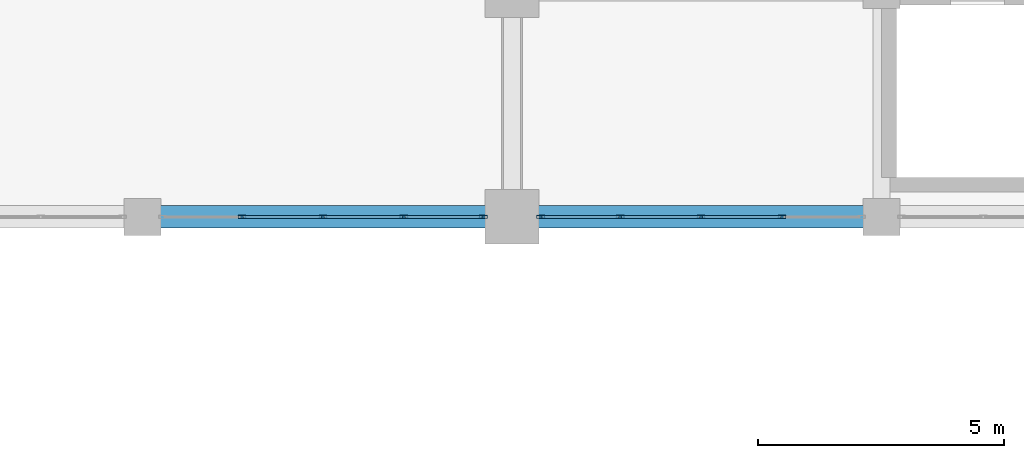
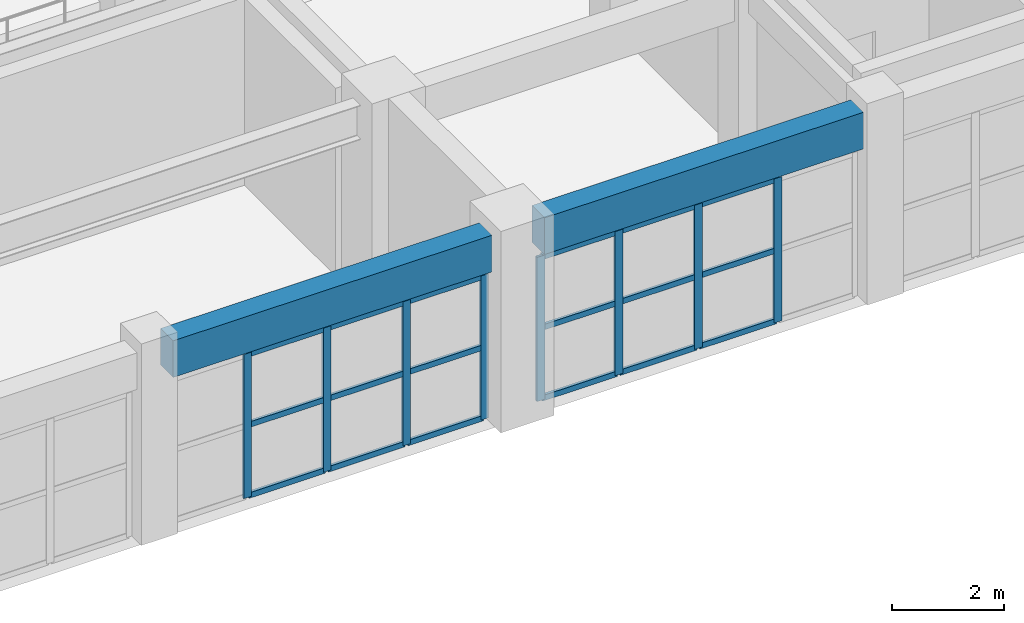
# One storey, part 25 of 90: 26 members, 2 beams, 2 elements without a shape of their own.
"""IFC4 building model written with IfcOpenShell, lengths in metres."""

import ifcopenshell
import ifcopenshell.guid

model = None  # the IFC model being written
_history = None  # IfcOwnerHistory: only IFC2X3 demands one
_inside = {}  # id of a spatial element -> (the spatial element, [elements in it])
_under = {}  # id of a project, library or spatial element -> (it, [spatial elements below it])
_declared = {}  # id of a project -> (the project, [libraries it declares])
_typed = {}  # id of a type object -> (the type object, [elements of that type])
_made_of = {}  # id of a material, layer set ... -> (it, [elements and type objects made of it])


def new_model(schema):
    """Start an empty IFC model of exactly this schema.

    Asked for "IFC4X3", IfcOpenShell would pick the latest addendum, in which some entities
    have other attributes; the version numbers below select the first issue.
    IFC2X3 requires an IfcOwnerHistory on every rooted entity: one is made here for all.
    """
    global model, _history
    if schema == "IFC4X3":
        model = ifcopenshell.file(schema_version=(4, 3, 0, 0))
    else:
        model = ifcopenshell.file(schema=schema)
    _inside.clear()
    _under.clear()
    _declared.clear()
    _typed.clear()
    _made_of.clear()
    _history = None
    if model.schema == "IFC2X3":
        org = make("IfcOrganization", Name="unknown")
        user = make(
            "IfcPersonAndOrganization",
            ThePerson=make("IfcPerson", FamilyName="unknown"),
            TheOrganization=org,
        )
        app = make(
            "IfcApplication",
            ApplicationDeveloper=org,
            Version="unknown",
            ApplicationFullName="unknown",
            ApplicationIdentifier="unknown",
        )
        _history = make(
            "IfcOwnerHistory",
            OwningUser=user,
            OwningApplication=app,
            ChangeAction="ADDED",
            CreationDate=0,
        )
    return model


def make(cls, **values):
    """One entity of the class cls with the attributes given. An attribute that is None is left unset."""
    return model.create_entity(
        cls, **{name: value for name, value in values.items() if value is not None}
    )


def rooted(cls, **values):
    """An entity with a GlobalId (a new one), such as an element, a storey or a relation."""
    return make(cls, GlobalId=ifcopenshell.guid.new(), OwnerHistory=_history, **values)


def si_unit(unit_type, name, prefix=None):
    """IfcSIUnit, for example si_unit("LENGTHUNIT", "METRE", prefix="MILLI")."""
    return make("IfcSIUnit", UnitType=unit_type, Prefix=prefix, Name=name)


def assignment(units):
    """IfcUnitAssignment: the units of a project."""
    return None if units is None else make("IfcUnitAssignment", Units=units)


def point(xyz):
    """IfcCartesianPoint."""
    return None if xyz is None else make("IfcCartesianPoint", Coordinates=xyz)


def direction(xyz):
    """IfcDirection."""
    return None if xyz is None else make("IfcDirection", DirectionRatios=xyz)


def frame(location, z_axis=None, x_axis=None):
    """IfcAxis2Placement3D, a coordinate frame: its origin and axes. An axis left out is left unset."""
    return make(
        "IfcAxis2Placement3D",
        Location=point(location),
        Axis=direction(z_axis),
        RefDirection=direction(x_axis),
    )


def frame_2d(location, x_axis=None):
    """IfcAxis2Placement2D, a coordinate frame in the plane: its origin and x axis."""
    return make(
        "IfcAxis2Placement2D", Location=point(location), RefDirection=direction(x_axis)
    )


def origin():
    """The frame at (0, 0, 0) with its axes left unset."""
    return frame((0.0, 0.0, 0.0))


def origin_2d():
    """The frame at (0, 0) in the plane with its x axis left unset."""
    return frame_2d((0.0, 0.0))


def place(relative_to, where):
    """IfcLocalPlacement: puts the frame where relative to a parent placement (None: the world)."""
    return make(
        "IfcLocalPlacement", PlacementRelTo=relative_to, RelativePlacement=where
    )


def context(
    kind, dimensions, precision=None, world=None, true_north=None, identifier=None
):
    """IfcGeometricRepresentationContext, for example the 3D "Model" context."""
    return make(
        "IfcGeometricRepresentationContext",
        ContextIdentifier=identifier,
        ContextType=kind,
        CoordinateSpaceDimension=dimensions,
        Precision=precision,
        WorldCoordinateSystem=world,
        TrueNorth=true_north,
    )


def subcontext(parent, identifier, kind, view, scale=None):
    """IfcGeometricRepresentationSubContext, for example "Body" below "Model"."""
    return make(
        "IfcGeometricRepresentationSubContext",
        ContextIdentifier=identifier,
        ContextType=kind,
        ParentContext=parent,
        TargetScale=scale,
        TargetView=view,
    )


def project(units=None, contexts=None):
    """IfcProject with its units and contexts."""
    return rooted(
        "IfcProject",
        Name="project",
        RepresentationContexts=contexts,
        UnitsInContext=assignment(units),
    )


def spatial(cls, under=None, at=None, **own):
    """A site, building, storey or space (cls), placed at a placement, below another one or the project."""
    s = rooted(cls, ObjectPlacement=at, **own)
    if under is not None:
        _under.setdefault(under.id(), (under, []))[1].append(s)
    return s


def profile(cls, at=None, kind="AREA", **sizes):
    """A parametric profile (cls). Its sizes go by their IFC names, for example OverallWidth=200.0."""
    return make(cls, ProfileType=kind, Position=at, **sizes)


def rectangle(**sizes):
    """IfcRectangleProfileDef."""
    return profile("IfcRectangleProfileDef", **sizes)


def hollow_rectangle(**sizes):
    """IfcRectangleHollowProfileDef."""
    return profile("IfcRectangleHollowProfileDef", **sizes)


def extrude(swept, where, along, depth):
    """IfcExtrudedAreaSolid: the profile swept, set in the frame where, extruded along a direction by depth."""
    return make(
        "IfcExtrudedAreaSolid",
        SweptArea=swept,
        Position=where,
        ExtrudedDirection=direction(along),
        Depth=depth,
    )


def shape(context_of_items, identifier, shape_type, items):
    """IfcShapeRepresentation: the items that make up one representation, for example the "Body"."""
    return make(
        "IfcShapeRepresentation",
        ContextOfItems=context_of_items,
        RepresentationIdentifier=identifier,
        RepresentationType=shape_type,
        Items=items,
    )


def material(Name=None, Category=None):
    """IfcMaterial."""
    return make("IfcMaterial", Name=Name, Category=Category)


def layer(
    of_material, thickness, ventilated=None, Name=None, Category=None, Priority=None
):
    """IfcMaterialLayer: one layer of a wall or slab, of a material (None: an air gap)."""
    return make(
        "IfcMaterialLayer",
        Material=of_material,
        LayerThickness=thickness,
        IsVentilated=ventilated,
        Name=Name,
        Category=Category,
        Priority=Priority,
    )


def layer_set(layers, Name=None):
    """IfcMaterialLayerSet."""
    return make("IfcMaterialLayerSet", MaterialLayers=layers, LayerSetName=Name)


def material_profile(
    of_material, cross_section, Name=None, Category=None, Priority=None
):
    """IfcMaterialProfile: a cross section and its material."""
    return make(
        "IfcMaterialProfile",
        Name=Name,
        Material=of_material,
        Profile=cross_section,
        Priority=Priority,
        Category=Category,
    )


def profile_set(profiles, Name=None, composite=None):
    """IfcMaterialProfileSet."""
    return make(
        "IfcMaterialProfileSet",
        Name=Name,
        MaterialProfiles=profiles,
        CompositeProfile=composite,
    )


def made_of(thing, what):
    """Note that an element or type object is made of a material, layer set ...; save() writes the relation."""
    if what is not None:
        _made_of.setdefault(what.id(), (what, []))[1].append(thing)
    return thing


def type_object(cls, material=None, **own):
    """A type object (cls), such as IfcWallType, which elements share."""
    return made_of(rooted(cls, **own), material)


def element(
    cls,
    number,
    at=None,
    inside=None,
    cuts=None,
    type_object=None,
    material=None,
    context=None,
    identifier="Body",
    shape_type=None,
    held_by="IfcProductDefinitionShape",
    body=None,
    shapes=None,
    **own,
):
    """One element of the class cls, such as IfcWall. Its Tag is "e" and its number.

    at: its placement. inside: the storey or other place that contains it. cuts: it is an
    opening in that element (IfcRelVoidsElement). A single representation is given by context,
    identifier, shape_type and body (its items); several are given by shapes. held_by: the class
    of the entity that holds the representations. save() writes the other relations.
    """
    e = rooted(cls, Tag="e%d" % number, ObjectPlacement=at, **own)
    if body is not None:
        shapes = [shape(context, identifier, shape_type, body)]
    if shapes is not None:
        e.Representation = make(held_by, Representations=shapes)
    if inside is not None:
        _inside.setdefault(inside.id(), (inside, []))[1].append(e)
    if cuts is not None:
        rooted(
            "IfcRelVoidsElement", RelatingBuildingElement=cuts, RelatedOpeningElement=e
        )
    if type_object is not None:
        _typed.setdefault(type_object.id(), (type_object, []))[1].append(e)
    return made_of(e, material)


def aggregate(whole, parts):
    """IfcRelAggregates: a whole, such as a stair, and the parts it consists of."""
    return rooted("IfcRelAggregates", RelatingObject=whole, RelatedObjects=parts)


def save(model, path):
    """Write the relations noted so far, then the file.

    IfcRelAggregates (storeys below a building ...), IfcRelContainedInSpatialStructure (elements
    in a storey), IfcRelDefinesByType, IfcRelAssociatesMaterial and IfcRelDeclares: one each for
    every whole, place, type object, material and project.
    """
    for whole, parts in _under.values():
        aggregate(whole, parts)
    for where, things in _inside.values():
        rooted(
            "IfcRelContainedInSpatialStructure",
            RelatedElements=things,
            RelatingStructure=where,
        )
    for kind, things in _typed.values():
        rooted("IfcRelDefinesByType", RelatedObjects=things, RelatingType=kind)
    for what, things in _made_of.values():
        rooted("IfcRelAssociatesMaterial", RelatedObjects=things, RelatingMaterial=what)
    for by, libraries in _declared.values():
        rooted("IfcRelDeclares", RelatingContext=by, RelatedDefinitions=libraries)
    model.write(path)


model = new_model("IFC4")

# Units and contexts
model_context = context("Model", 3, precision=1e-05, world=origin(), true_north=direction((0.0, 1.0)))
body_context = subcontext(model_context, "Body", "Model", "MODEL_VIEW")
ifc_project = project(units=[si_unit("LENGTHUNIT", "METRE"), si_unit("AREAUNIT", "SQUARE_METRE"), si_unit("VOLUMEUNIT", "CUBIC_METRE"), si_unit("PLANEANGLEUNIT", "RADIAN"), si_unit("MASSUNIT", "GRAM", prefix="KILO")], contexts=[model_context])

# Site, building, storey
site_placement = place(None, origin())
site = spatial("IfcSite", under=ifc_project, at=site_placement, CompositionType="ELEMENT")
building_placement = place(site_placement, origin())
building = spatial("IfcBuilding", under=site, at=building_placement, Name="Muzn Square Opera House", CompositionType="ELEMENT")
storey_placement = place(building_placement, frame((0.0, 0.0, 9.800048828125)))
storey = spatial("IfcBuildingStorey", under=building, at=storey_placement, Name="L02", CompositionType="ELEMENT", Elevation=9.800048828125)

# Curtain wall, members
ifc_material_1 = material(Name="Low-E laminated acoustic double glazing", Category="glass")
ifc_layer = layer(ifc_material_1, 0.159912109375, Name="Low-E laminated acoustic double glazing", Category="glass")
ifc_layer_set = layer_set([ifc_layer], Name="Low-E laminated acoustic double glazing")
curtain_wall_type = type_object("IfcCurtainWallType", Name="Glazed Curtain Wall Forecourt 6575x3150", PredefinedType="USERDEFINED", material=ifc_layer_set)
curtain_wall_1_placement = place(storey_placement, origin())
curtain_wall_1 = element("IfcCurtainWall", 1, at=curtain_wall_1_placement, inside=storey, type_object=curtain_wall_type, Name="Glazed Curtain Wall CW-L02-016", ObjectType="GLAZED CURTAIN WALL", PredefinedType="USERDEFINED")
ifc_material_2 = material(Name="Anodised bronze aluminium 6063-T6", Category="metal")
ifc_material_profile_1 = material_profile(ifc_material_2, hollow_rectangle(XDim=0.06005859375, YDim=0.159912109375, WallThickness=0.00390625, at=origin_2d()), Name="ALU 160x60x4", Category="metal")
ifc_profile_set_1 = profile_set([ifc_material_profile_1], Name="Anodised bronze aluminium 6063-T6")
member_type_1 = type_object("IfcMemberType", Name="Curtain Wall Mullion 160x60", PredefinedType="MULLION", material=ifc_profile_set_1)
member_1_placement = place(storey_placement, frame((97.518798828125, 22.0, 0.0), z_axis=(0.0, 0.0, 1.0), x_axis=(0.0, 1.0, 0.0)))
member_1 = element("IfcMember", 2, at=member_1_placement, type_object=member_type_1, Name="CW-FC-65x31 mullion 2", PredefinedType="MULLION", context=body_context, shape_type="SweptSolid", body=[
    extrude(hollow_rectangle(XDim=0.06005859375, YDim=0.159912109375, WallThickness=0.00390625, at=origin_2d()), origin(), (0.0, 0.0, 1.0), 3.14990234375),
])
member_2_placement = place(storey_placement, frame((99.16259765625, 22.0, 0.0), z_axis=(0.0, 0.0, 1.0), x_axis=(0.0, 1.0, 0.0)))
member_2 = element("IfcMember", 3, at=member_2_placement, type_object=member_type_1, Name="CW-FC-65x31 mullion 3", PredefinedType="MULLION", context=body_context, shape_type="SweptSolid", body=[
    extrude(hollow_rectangle(XDim=0.06005859375, YDim=0.159912109375, WallThickness=0.00390625, at=origin_2d()), origin(), (0.0, 0.0, 1.0), 3.14990234375),
])
member_3_placement = place(storey_placement, frame((100.80615234375, 22.0, 0.0), z_axis=(0.0, 0.0, 1.0), x_axis=(0.0, 1.0, 0.0)))
member_3 = element("IfcMember", 4, at=member_3_placement, type_object=member_type_1, Name="CW-FC-65x31 mullion 4", PredefinedType="MULLION", context=body_context, shape_type="SweptSolid", body=[
    extrude(hollow_rectangle(XDim=0.06005859375, YDim=0.159912109375, WallThickness=0.00390625, at=origin_2d()), origin(), (0.0, 0.0, 1.0), 3.14990234375),
])
member_4_placement = place(storey_placement, frame((102.419921875, 22.0, 0.0), z_axis=(0.0, 0.0, 1.0), x_axis=(0.0, 1.0, 0.0)))
member_4 = element("IfcMember", 5, at=member_4_placement, type_object=member_type_1, Name="CW-FC-65x31 mullion 5", PredefinedType="MULLION", context=body_context, shape_type="SweptSolid", body=[
    extrude(hollow_rectangle(XDim=0.06005859375, YDim=0.159912109375, WallThickness=0.00390625, at=origin_2d()), origin(), (0.0, 0.0, 1.0), 3.14990234375),
])

curtain_wall_2_placement = place(storey_placement, origin())
curtain_wall_2 = element("IfcCurtainWall", 6, at=curtain_wall_2_placement, inside=storey, type_object=curtain_wall_type, Name="Glazed Curtain Wall CW-L02-017", ObjectType="GLAZED CURTAIN WALL", PredefinedType="USERDEFINED")
member_5_placement = place(storey_placement, frame((103.580078125, 22.0, 0.0), z_axis=(0.0, 0.0, 1.0), x_axis=(0.0, 1.0, 0.0)))
member_5 = element("IfcMember", 7, at=member_5_placement, type_object=member_type_1, Name="CW-FC-65x31 mullion 1", PredefinedType="MULLION", context=body_context, shape_type="SweptSolid", body=[
    extrude(hollow_rectangle(XDim=0.06005859375, YDim=0.159912109375, WallThickness=0.00390625, at=origin_2d()), origin(), (0.0, 0.0, 1.0), 3.14990234375),
])
member_6_placement = place(storey_placement, frame((105.19384765625, 22.0, 0.0), z_axis=(0.0, 0.0, 1.0), x_axis=(0.0, 1.0, 0.0)))
member_6 = element("IfcMember", 8, at=member_6_placement, type_object=member_type_1, Name="CW-FC-65x31 mullion 2", PredefinedType="MULLION", context=body_context, shape_type="SweptSolid", body=[
    extrude(hollow_rectangle(XDim=0.06005859375, YDim=0.159912109375, WallThickness=0.00390625, at=origin_2d()), origin(), (0.0, 0.0, 1.0), 3.14990234375),
])
member_7_placement = place(storey_placement, frame((106.83740234375, 22.0, 0.0), z_axis=(0.0, 0.0, 1.0), x_axis=(0.0, 1.0, 0.0)))
member_7 = element("IfcMember", 9, at=member_7_placement, type_object=member_type_1, Name="CW-FC-65x31 mullion 3", PredefinedType="MULLION", context=body_context, shape_type="SweptSolid", body=[
    extrude(hollow_rectangle(XDim=0.06005859375, YDim=0.159912109375, WallThickness=0.00390625, at=origin_2d()), origin(), (0.0, 0.0, 1.0), 3.14990234375),
])
member_8_placement = place(storey_placement, frame((108.481201171875, 22.0, 0.0), z_axis=(0.0, 0.0, 1.0), x_axis=(0.0, 1.0, 0.0)))
member_8 = element("IfcMember", 10, at=member_8_placement, type_object=member_type_1, Name="CW-FC-65x31 mullion 4", PredefinedType="MULLION", context=body_context, shape_type="SweptSolid", body=[
    extrude(hollow_rectangle(XDim=0.06005859375, YDim=0.159912109375, WallThickness=0.00390625, at=origin_2d()), origin(), (0.0, 0.0, 1.0), 3.14990234375),
])

# Member
ifc_material_profile_2 = material_profile(ifc_material_2, hollow_rectangle(XDim=0.06005859375, YDim=0.1201171875, WallThickness=0.00390625, at=origin_2d()), Name="ALU 120x60x4", Category="metal")
ifc_profile_set_2 = profile_set([ifc_material_profile_2], Name="Anodised bronze aluminium 6063-T6")
member_type_2 = type_object("IfcMemberType", Name="Curtain Wall Transom 120x60", PredefinedType="USERDEFINED", material=ifc_profile_set_2)
member_9_placement = place(storey_placement, frame((97.548828125, 22.0, 0.030029296875), z_axis=(1.0, 0.0, 0.0), x_axis=(0.0, 1.0, 0.0)))
member_9 = element("IfcMember", 11, at=member_9_placement, type_object=member_type_2, Name="CW-FC-65x31 transom 2.1", ObjectType="TRANSOM", PredefinedType="USERDEFINED", context=body_context, shape_type="SweptSolid", body=[
    extrude(hollow_rectangle(XDim=0.06005859375, YDim=0.1201171875, WallThickness=0.00390625, at=origin_2d()), origin(), (0.0, 0.0, 1.0), 1.583740234375),
])

member_10_placement = place(storey_placement, frame((97.548828125, 22.0, 1.574951171875), z_axis=(1.0, 0.0, 0.0), x_axis=(0.0, 1.0, 0.0)))
member_10 = element("IfcMember", 12, at=member_10_placement, type_object=member_type_2, Name="CW-FC-65x31 transom 2.2", ObjectType="TRANSOM", PredefinedType="USERDEFINED", context=body_context, shape_type="SweptSolid", body=[
    extrude(hollow_rectangle(XDim=0.06005859375, YDim=0.1201171875, WallThickness=0.00390625, at=origin_2d()), origin(), (0.0, 0.0, 1.0), 1.583740234375),
])

member_11_placement = place(storey_placement, frame((97.548828125, 22.0, 3.119873046875), z_axis=(1.0, 0.0, 0.0), x_axis=(0.0, 1.0, 0.0)))
member_11 = element("IfcMember", 13, at=member_11_placement, type_object=member_type_2, Name="CW-FC-65x31 transom 2.3", ObjectType="TRANSOM", PredefinedType="USERDEFINED", context=body_context, shape_type="SweptSolid", body=[
    extrude(hollow_rectangle(XDim=0.06005859375, YDim=0.1201171875, WallThickness=0.00390625, at=origin_2d()), origin(), (0.0, 0.0, 1.0), 1.583740234375),
])

member_12_placement = place(storey_placement, frame((99.1923828125, 22.0, 0.030029296875), z_axis=(1.0, 0.0, 0.0), x_axis=(0.0, 1.0, 0.0)))
member_12 = element("IfcMember", 14, at=member_12_placement, type_object=member_type_2, Name="CW-FC-65x31 transom 3.1", ObjectType="TRANSOM", PredefinedType="USERDEFINED", context=body_context, shape_type="SweptSolid", body=[
    extrude(hollow_rectangle(XDim=0.06005859375, YDim=0.1201171875, WallThickness=0.00390625, at=origin_2d()), origin(), (0.0, 0.0, 1.0), 1.583984375),
])

member_13_placement = place(storey_placement, frame((99.1923828125, 22.0, 1.574951171875), z_axis=(1.0, 0.0, 0.0), x_axis=(0.0, 1.0, 0.0)))
member_13 = element("IfcMember", 15, at=member_13_placement, type_object=member_type_2, Name="CW-FC-65x31 transom 3.2", ObjectType="TRANSOM", PredefinedType="USERDEFINED", context=body_context, shape_type="SweptSolid", body=[
    extrude(hollow_rectangle(XDim=0.06005859375, YDim=0.1201171875, WallThickness=0.00390625, at=origin_2d()), origin(), (0.0, 0.0, 1.0), 1.583984375),
])

member_14_placement = place(storey_placement, frame((99.1923828125, 22.0, 3.119873046875), z_axis=(1.0, 0.0, 0.0), x_axis=(0.0, 1.0, 0.0)))
member_14 = element("IfcMember", 16, at=member_14_placement, type_object=member_type_2, Name="CW-FC-65x31 transom 3.3", ObjectType="TRANSOM", PredefinedType="USERDEFINED", context=body_context, shape_type="SweptSolid", body=[
    extrude(hollow_rectangle(XDim=0.06005859375, YDim=0.1201171875, WallThickness=0.00390625, at=origin_2d()), origin(), (0.0, 0.0, 1.0), 1.583984375),
])

member_15_placement = place(storey_placement, frame((100.836181640625, 22.0, 0.030029296875), z_axis=(1.0, 0.0, 0.0), x_axis=(0.0, 1.0, 0.0)))
member_15 = element("IfcMember", 17, at=member_15_placement, type_object=member_type_2, Name="CW-FC-65x31 transom 4.1", ObjectType="TRANSOM", PredefinedType="USERDEFINED", context=body_context, shape_type="SweptSolid", body=[
    extrude(hollow_rectangle(XDim=0.06005859375, YDim=0.1201171875, WallThickness=0.00390625, at=origin_2d()), origin(), (0.0, 0.0, 1.0), 1.5537109375),
])

member_16_placement = place(storey_placement, frame((100.836181640625, 22.0, 1.574951171875), z_axis=(1.0, 0.0, 0.0), x_axis=(0.0, 1.0, 0.0)))
member_16 = element("IfcMember", 18, at=member_16_placement, type_object=member_type_2, Name="CW-FC-65x31 transom 4.2", ObjectType="TRANSOM", PredefinedType="USERDEFINED", context=body_context, shape_type="SweptSolid", body=[
    extrude(hollow_rectangle(XDim=0.06005859375, YDim=0.1201171875, WallThickness=0.00390625, at=origin_2d()), origin(), (0.0, 0.0, 1.0), 1.5537109375),
])

member_17_placement = place(storey_placement, frame((100.836181640625, 22.0, 3.119873046875), z_axis=(1.0, 0.0, 0.0), x_axis=(0.0, 1.0, 0.0)))
member_17 = element("IfcMember", 19, at=member_17_placement, type_object=member_type_2, Name="CW-FC-65x31 transom 4.3", ObjectType="TRANSOM", PredefinedType="USERDEFINED", context=body_context, shape_type="SweptSolid", body=[
    extrude(hollow_rectangle(XDim=0.06005859375, YDim=0.1201171875, WallThickness=0.00390625, at=origin_2d()), origin(), (0.0, 0.0, 1.0), 1.5537109375),
])

aggregate(curtain_wall_1, [member_1, member_2, member_3, member_4, member_9, member_10, member_11, member_12, member_13, member_14, member_15, member_16, member_17])

member_18_placement = place(storey_placement, frame((103.610107421875, 22.0, 0.030029296875), z_axis=(1.0, 0.0, 0.0), x_axis=(0.0, 1.0, 0.0)))
member_18 = element("IfcMember", 20, at=member_18_placement, type_object=member_type_2, Name="CW-FC-65x31 transom 1.1", ObjectType="TRANSOM", PredefinedType="USERDEFINED", context=body_context, shape_type="SweptSolid", body=[
    extrude(hollow_rectangle(XDim=0.06005859375, YDim=0.1201171875, WallThickness=0.00390625, at=origin_2d()), origin(), (0.0, 0.0, 1.0), 1.5537109375),
])

member_19_placement = place(storey_placement, frame((103.610107421875, 22.0, 1.574951171875), z_axis=(1.0, 0.0, 0.0), x_axis=(0.0, 1.0, 0.0)))
member_19 = element("IfcMember", 21, at=member_19_placement, type_object=member_type_2, Name="CW-FC-65x31 transom 1.2", ObjectType="TRANSOM", PredefinedType="USERDEFINED", context=body_context, shape_type="SweptSolid", body=[
    extrude(hollow_rectangle(XDim=0.06005859375, YDim=0.1201171875, WallThickness=0.00390625, at=origin_2d()), origin(), (0.0, 0.0, 1.0), 1.5537109375),
])

member_20_placement = place(storey_placement, frame((103.610107421875, 22.0, 3.119873046875), z_axis=(1.0, 0.0, 0.0), x_axis=(0.0, 1.0, 0.0)))
member_20 = element("IfcMember", 22, at=member_20_placement, type_object=member_type_2, Name="CW-FC-65x31 transom 1.3", ObjectType="TRANSOM", PredefinedType="USERDEFINED", context=body_context, shape_type="SweptSolid", body=[
    extrude(hollow_rectangle(XDim=0.06005859375, YDim=0.1201171875, WallThickness=0.00390625, at=origin_2d()), origin(), (0.0, 0.0, 1.0), 1.5537109375),
])

member_21_placement = place(storey_placement, frame((105.2236328125, 22.0, 0.030029296875), z_axis=(1.0, 0.0, 0.0), x_axis=(0.0, 1.0, 0.0)))
member_21 = element("IfcMember", 23, at=member_21_placement, type_object=member_type_2, Name="CW-FC-65x31 transom 2.1", ObjectType="TRANSOM", PredefinedType="USERDEFINED", context=body_context, shape_type="SweptSolid", body=[
    extrude(hollow_rectangle(XDim=0.06005859375, YDim=0.1201171875, WallThickness=0.00390625, at=origin_2d()), origin(), (0.0, 0.0, 1.0), 1.583984375),
])

member_22_placement = place(storey_placement, frame((105.2236328125, 22.0, 1.574951171875), z_axis=(1.0, 0.0, 0.0), x_axis=(0.0, 1.0, 0.0)))
member_22 = element("IfcMember", 24, at=member_22_placement, type_object=member_type_2, Name="CW-FC-65x31 transom 2.2", ObjectType="TRANSOM", PredefinedType="USERDEFINED", context=body_context, shape_type="SweptSolid", body=[
    extrude(hollow_rectangle(XDim=0.06005859375, YDim=0.1201171875, WallThickness=0.00390625, at=origin_2d()), origin(), (0.0, 0.0, 1.0), 1.583984375),
])

member_23_placement = place(storey_placement, frame((105.2236328125, 22.0, 3.119873046875), z_axis=(1.0, 0.0, 0.0), x_axis=(0.0, 1.0, 0.0)))
member_23 = element("IfcMember", 25, at=member_23_placement, type_object=member_type_2, Name="CW-FC-65x31 transom 2.3", ObjectType="TRANSOM", PredefinedType="USERDEFINED", context=body_context, shape_type="SweptSolid", body=[
    extrude(hollow_rectangle(XDim=0.06005859375, YDim=0.1201171875, WallThickness=0.00390625, at=origin_2d()), origin(), (0.0, 0.0, 1.0), 1.583984375),
])

member_24_placement = place(storey_placement, frame((106.867431640625, 22.0, 0.030029296875), z_axis=(1.0, 0.0, 0.0), x_axis=(0.0, 1.0, 0.0)))
member_24 = element("IfcMember", 26, at=member_24_placement, type_object=member_type_2, Name="CW-FC-65x31 transom 3.1", ObjectType="TRANSOM", PredefinedType="USERDEFINED", context=body_context, shape_type="SweptSolid", body=[
    extrude(hollow_rectangle(XDim=0.06005859375, YDim=0.1201171875, WallThickness=0.00390625, at=origin_2d()), origin(), (0.0, 0.0, 1.0), 1.583740234375),
])

member_25_placement = place(storey_placement, frame((106.867431640625, 22.0, 1.574951171875), z_axis=(1.0, 0.0, 0.0), x_axis=(0.0, 1.0, 0.0)))
member_25 = element("IfcMember", 27, at=member_25_placement, type_object=member_type_2, Name="CW-FC-65x31 transom 3.2", ObjectType="TRANSOM", PredefinedType="USERDEFINED", context=body_context, shape_type="SweptSolid", body=[
    extrude(hollow_rectangle(XDim=0.06005859375, YDim=0.1201171875, WallThickness=0.00390625, at=origin_2d()), origin(), (0.0, 0.0, 1.0), 1.583740234375),
])

member_26_placement = place(storey_placement, frame((106.867431640625, 22.0, 3.119873046875), z_axis=(1.0, 0.0, 0.0), x_axis=(0.0, 1.0, 0.0)))
member_26 = element("IfcMember", 28, at=member_26_placement, type_object=member_type_2, Name="CW-FC-65x31 transom 3.3", ObjectType="TRANSOM", PredefinedType="USERDEFINED", context=body_context, shape_type="SweptSolid", body=[
    extrude(hollow_rectangle(XDim=0.06005859375, YDim=0.1201171875, WallThickness=0.00390625, at=origin_2d()), origin(), (0.0, 0.0, 1.0), 1.583740234375),
])

aggregate(curtain_wall_2, [member_5, member_6, member_7, member_8, member_18, member_19, member_20, member_21, member_22, member_23, member_24, member_25, member_26])

# Beams
ifc_material_3 = material(Name="Concrete C40/50", Category="concrete")
ifc_material_profile_3 = material_profile(ifc_material_3, rectangle(XDim=0.449951171875, YDim=0.800048828125, at=origin_2d()), Name="RCB 450x800", Category="concrete")
ifc_profile_set_3 = profile_set([ifc_material_profile_3], Name="Concrete C40/50")
beam_type = type_object("IfcBeamType", Name="Primary Girder 450x800", PredefinedType="BEAM", material=ifc_profile_set_3)
for number, where, z_axis, x_axis, name in (
    (29, (95.866943359375, 22.0, 3.719970703125), (1.0, 0.0, 0.0), (0.0, 1.0, 0.0), "Primary Girder BM-L02-BM-PG800-959_220_1025_220-1956"),
    (30, (103.5419921875, 22.0, 3.719970703125), (1.0, 0.0, 0.0), (0.0, 1.0, 0.0), "Primary Girder BM-L02-BM-PG800-1035_220_1101_220-1957"),
):
    element("IfcBeam", number, at=place(storey_placement, frame(where, z_axis=z_axis, x_axis=x_axis)), inside=storey, type_object=beam_type, Name=name, PredefinedType="BEAM", context=body_context, shape_type="SweptSolid", body=[
        extrude(rectangle(XDim=0.449951171875, YDim=0.800048828125, at=origin_2d()), origin(), (0.0, 0.0, 1.0), 6.591064453125),
    ])

save(model, "model.ifc")
